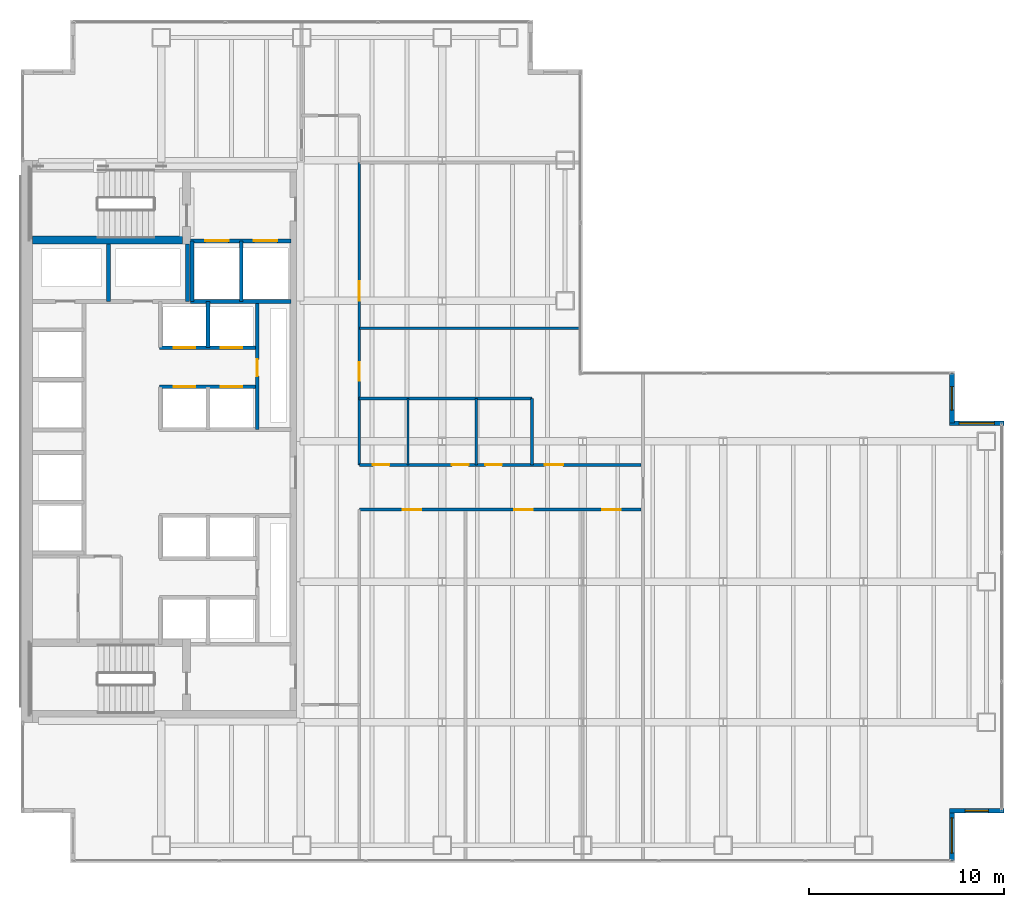
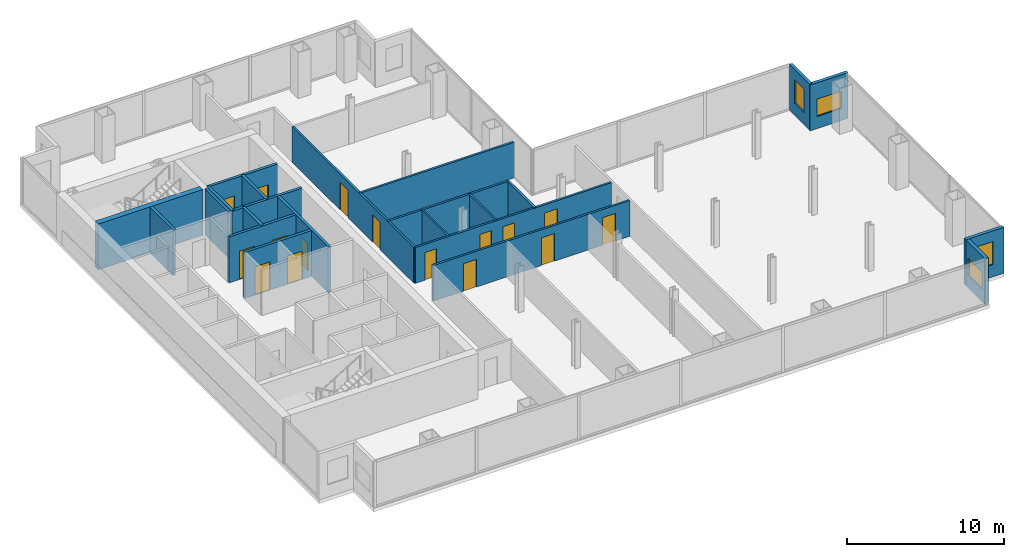
# One storey, part 21 of 23: 23 walls, 16 doors, 4 windows, 20 openings.
"""IFC4 building model written with IfcOpenShell, lengths in metres."""

from ifc_helpers import new_model, si_unit, direction, frame, frame_2d, origin, place, context, subcontext, project, spatial, rectangle, extrude, material, layer, layer_set, type_object, element, fill, save


model = new_model("IFC4")

# Units and contexts
model_context = context("Model", 3, precision=1e-05, world=origin(), true_north=direction((0.0, 1.0)))
body_context = subcontext(model_context, "Body", "Model", "MODEL_VIEW")
ifc_project = project(units=[si_unit("LENGTHUNIT", "METRE"), si_unit("AREAUNIT", "SQUARE_METRE"), si_unit("VOLUMEUNIT", "CUBIC_METRE"), si_unit("PLANEANGLEUNIT", "RADIAN"), si_unit("MASSUNIT", "GRAM", prefix="KILO")], contexts=[model_context])

# Site, building, storey
site_placement = place(None, origin())
site = spatial("IfcSite", under=ifc_project, at=site_placement, CompositionType="ELEMENT")
building_placement = place(site_placement, origin())
building = spatial("IfcBuilding", under=site, at=building_placement, Name="Cobrela Telecom Tower", CompositionType="ELEMENT")
storey_placement = place(building_placement, frame((0.0, 0.0, 81.199951171875)))
storey = spatial("IfcBuildingStorey", under=building, at=storey_placement, Name="L20", CompositionType="ELEMENT", Elevation=81.199951171875)

# Wall, opening, window
ifc_material_1 = material(Name="Concrete C40/50", Category="concrete")
ifc_layer_1 = layer(ifc_material_1, 0.239990234375)
ifc_layer_set_1 = layer_set([ifc_layer_1], Name="Concrete C40/50")
wall_type_1 = type_object("IfcWallType", Name="WALL-EXT-300", PredefinedType="STANDARD", material=ifc_layer_set_1)
wall_1_placement = place(storey_placement, frame((47.72998046875, 25.080078125, 0.0), z_axis=(0.0, 0.0, 1.0), x_axis=(0.0, -1.0, 0.0)))
wall_1 = element("IfcWall", 1, at=wall_1_placement, inside=storey, type_object=wall_type_1, Name="L20 Insulated Facade Wall 12", PredefinedType="STANDARD", context=body_context, shape_type="SweptSolid", body=[
    extrude(rectangle(XDim=2.550048828125, YDim=0.239990234375, at=frame_2d((1.27490234375, 0.0))), origin(), (0.0, 0.0, 1.0), 3.570068359375),
])
opening_1_placement = place(wall_1_placement, frame((0.675048828125, 0.0, 0.949951171875)))
opening_1 = element("IfcOpeningElement", 2, at=opening_1_placement, cuts=wall_1, Name="Opening WN-19", PredefinedType="OPENING", context=body_context, shape_type="SweptSolid", body=[
    extrude(rectangle(XDim=1.199951171875, YDim=1.800048828125, at=frame_2d((0.60009765625, 0.89990234375))), frame((0.0, 0.1318359375, 0.0), z_axis=(0.0, -1.0, 0.0), x_axis=(1.0, 0.0, 0.0)), (0.0, 0.0, 1.0), 0.263916015625),
])
ifc_material_2 = material(Name="Solar-Control Bronze Low-E Glass", Category="glass")
window_type_1 = type_object("IfcWindowType", Name="WIN-MOD-1200", PartitioningType="SINGLE_PANEL", PredefinedType="WINDOW", material=ifc_material_2)
window_1_placement = place(opening_1_placement, origin())
window_1 = element("IfcWindow", 3, at=window_1_placement, inside=storey, type_object=window_type_1, Name="L20 Corner Notch Facade Window 096", OverallHeight=1.800048828125, OverallWidth=1.199951171875, PartitioningType="SINGLE_PANEL", PredefinedType="WINDOW", context=body_context, shape_type="SweptSolid", body=[
    extrude(rectangle(XDim=1.199951171875, YDim=1.800048828125, at=frame_2d((0.60009765625, 0.89990234375))), frame((0.0, 0.030029296875, 0.0), z_axis=(0.0, -1.0, 0.0), x_axis=(1.0, 0.0, 0.0)), (0.0, 0.0, 1.0), 0.06005859375),
])
fill(opening_1, window_1)

wall_2_placement = place(storey_placement, frame((47.610107421875, 22.530029296875, 0.0), z_axis=(0.0, 0.0, 1.0), x_axis=(1.0, 0.0, 0.0)))
wall_2 = element("IfcWall", 4, at=wall_2_placement, inside=storey, type_object=wall_type_1, Name="L20 Insulated Facade Wall 13", PredefinedType="STANDARD", context=body_context, shape_type="SweptSolid", body=[
    extrude(rectangle(XDim=2.789794921875, YDim=0.239990234375, at=frame_2d((1.39501953125, 0.0))), origin(), (0.0, 0.0, 1.0), 3.570068359375),
])
opening_2_placement = place(wall_2_placement, frame((0.4951171875, 0.0, 0.949951171875)))
opening_2 = element("IfcOpeningElement", 5, at=opening_2_placement, cuts=wall_2, Name="Opening WN-27", PredefinedType="OPENING", context=body_context, shape_type="SweptSolid", body=[
    extrude(rectangle(XDim=1.800048828125, YDim=1.35009765625, at=frame_2d((0.89990234375, 0.675048828125))), frame((0.0, 0.1318359375, 0.0), z_axis=(0.0, -1.0, 0.0), x_axis=(1.0, 0.0, 0.0)), (0.0, 0.0, 1.0), 0.263916015625),
])
window_type_2 = type_object("IfcWindowType", Name="WIN-CLER-1800", PartitioningType="SINGLE_PANEL", PredefinedType="WINDOW", material=ifc_material_2)
window_2_placement = place(opening_2_placement, origin())
window_2 = element("IfcWindow", 6, at=window_2_placement, inside=storey, type_object=window_type_2, Name="L20 Corner Notch Facade Window 097", OverallHeight=1.35009765625, OverallWidth=1.800048828125, PartitioningType="SINGLE_PANEL", PredefinedType="WINDOW", context=body_context, shape_type="SweptSolid", body=[
    extrude(rectangle(XDim=1.800048828125, YDim=1.35009765625, at=frame_2d((0.89990234375, 0.675048828125))), frame((0.0, 0.030029296875, 0.0), z_axis=(0.0, -1.0, 0.0), x_axis=(1.0, 0.0, 0.0)), (0.0, 0.0, 1.0), 0.06005859375),
])
fill(opening_2, window_2)

wall_3_placement = place(storey_placement, frame((50.39990234375, 2.669921875, 0.0), z_axis=(0.0, 0.0, 1.0), x_axis=(-1.0, 0.0, 0.0)))
wall_3 = element("IfcWall", 7, at=wall_3_placement, inside=storey, type_object=wall_type_1, Name="L20 Insulated Facade Wall 15", PredefinedType="STANDARD", context=body_context, shape_type="SweptSolid", body=[
    extrude(rectangle(XDim=2.789794921875, YDim=0.239990234375, at=frame_2d((1.39501953125, 0.0))), origin(), (0.0, 0.0, 1.0), 3.570068359375),
])
opening_3_placement = place(wall_3_placement, frame((0.794921875, 0.0, 0.949951171875)))
opening_3 = element("IfcOpeningElement", 8, at=opening_3_placement, cuts=wall_3, Name="Opening WN-19", PredefinedType="OPENING", context=body_context, shape_type="SweptSolid", body=[
    extrude(rectangle(XDim=1.199951171875, YDim=1.800048828125, at=frame_2d((0.60009765625, 0.89990234375))), frame((0.0, 0.1318359375, 0.0), z_axis=(0.0, -1.0, 0.0), x_axis=(1.0, 0.0, 0.0)), (0.0, 0.0, 1.0), 0.263916015625),
])
window_3_placement = place(opening_3_placement, origin())
window_3 = element("IfcWindow", 9, at=window_3_placement, inside=storey, type_object=window_type_1, Name="L20 Corner Notch Facade Window 098", OverallHeight=1.800048828125, OverallWidth=1.199951171875, PartitioningType="SINGLE_PANEL", PredefinedType="WINDOW", context=body_context, shape_type="SweptSolid", body=[
    extrude(rectangle(XDim=1.199951171875, YDim=1.800048828125, at=frame_2d((0.60009765625, 0.89990234375))), frame((0.0, 0.030029296875, 0.0), z_axis=(0.0, -1.0, 0.0), x_axis=(1.0, 0.0, 0.0)), (0.0, 0.0, 1.0), 0.06005859375),
])
fill(opening_3, window_3)

wall_4_placement = place(storey_placement, frame((47.72998046875, 2.669921875, 0.0), z_axis=(0.0, 0.0, 1.0), x_axis=(0.0, -1.0, 0.0)))
wall_4 = element("IfcWall", 10, at=wall_4_placement, inside=storey, type_object=wall_type_1, Name="L20 Insulated Facade Wall 16", PredefinedType="STANDARD", context=body_context, shape_type="SweptSolid", body=[
    extrude(rectangle(XDim=2.5498046875, YDim=0.239990234375, at=frame_2d((1.27490234375, 0.0))), origin(), (0.0, 0.0, 1.0), 3.570068359375),
])
opening_4_placement = place(wall_4_placement, frame((0.375, 0.0, 0.949951171875)))
opening_4 = element("IfcOpeningElement", 11, at=opening_4_placement, cuts=wall_4, Name="Opening WN-27", PredefinedType="OPENING", context=body_context, shape_type="SweptSolid", body=[
    extrude(rectangle(XDim=1.800048828125, YDim=1.35009765625, at=frame_2d((0.89990234375, 0.675048828125))), frame((0.0, 0.1318359375, 0.0), z_axis=(0.0, -1.0, 0.0), x_axis=(1.0, 0.0, 0.0)), (0.0, 0.0, 1.0), 0.263916015625),
])
window_4_placement = place(opening_4_placement, origin())
window_4 = element("IfcWindow", 12, at=window_4_placement, inside=storey, type_object=window_type_2, Name="L20 Corner Notch Facade Window 099", OverallHeight=1.35009765625, OverallWidth=1.800048828125, PartitioningType="SINGLE_PANEL", PredefinedType="WINDOW", context=body_context, shape_type="SweptSolid", body=[
    extrude(rectangle(XDim=1.800048828125, YDim=1.35009765625, at=frame_2d((0.89990234375, 0.675048828125))), frame((0.0, 0.030029296875, 0.0), z_axis=(0.0, -1.0, 0.0), x_axis=(1.0, 0.0, 0.0)), (0.0, 0.0, 1.0), 0.06005859375),
])
fill(opening_4, window_4)

# Walls
ifc_material_3 = material(Name="Fire-Rated Gypsum Plasterboard")
ifc_layer_2 = layer(ifc_material_3, 0.125)
ifc_layer_set_2 = layer_set([ifc_layer_2], Name="Fire-Rated Gypsum Plasterboard")
wall_type_2 = type_object("IfcWallType", Name="WALL-PART-125", PredefinedType="PARTITIONING", material=ifc_layer_set_2)
for number, where, z_axis, x_axis, name in (
    (13, (19.85009765625, 20.39990234375, 0.0), (0.0, 0.0, 1.0), (0.0, 1.0, 0.0), "L20 Interior Partition W-WCV-1"),
    (14, (23.35009765625, 20.39990234375, 0.0), (0.0, 0.0, 1.0), (0.0, 1.0, 0.0), "L20 Interior Partition W-WCV-2"),
):
    element("IfcWall", number, at=place(storey_placement, frame(where, z_axis=z_axis, x_axis=x_axis)), inside=storey, type_object=wall_type_2, Name=name, PredefinedType="PARTITIONING", context=body_context, shape_type="SweptSolid", body=[
        extrude(rectangle(XDim=3.400146484375, YDim=0.125, at=frame_2d((1.7001953125, 0.0))), origin(), (0.0, 0.0, 1.0), 2.782958984375),
    ])

# Wall, openings, doors
ifc_layer_3 = layer(ifc_material_3, 0.14990234375)
ifc_layer_set_3 = layer_set([ifc_layer_3], Name="Fire-Rated Gypsum Plasterboard")
wall_type_3 = type_object("IfcWallType", Name="WALL-PART-150", PredefinedType="PARTITIONING", material=ifc_layer_set_3)
wall_5_placement = place(storey_placement, frame((17.35009765625, 20.39990234375, 0.0), z_axis=(0.0, 0.0, 1.0), x_axis=(0.0, 1.0, 0.0)))
wall_5 = element("IfcWall", 15, at=wall_5_placement, inside=storey, type_object=wall_type_3, Name="L20 Interior Partition W-C-E2", PredefinedType="PARTITIONING", context=body_context, shape_type="SweptSolid", body=[
    extrude(rectangle(XDim=15.5, YDim=0.14990234375, at=frame_2d((7.75, 0.0))), origin(), (0.0, 0.0, 1.0), 2.782958984375),
])
opening_5_placement = place(wall_5_placement, frame((4.300048828125, 0.0, 0.0)))
opening_5 = element("IfcOpeningElement", 16, at=opening_5_placement, cuts=wall_5, Name="Opening DR-67", PredefinedType="OPENING", context=body_context, shape_type="SweptSolid", body=[
    extrude(rectangle(XDim=0.949951171875, YDim=2.14990234375, at=frame_2d((0.47509765625, 1.074951171875))), frame((0.0, 0.0869140625, 0.0), z_axis=(0.0, -1.0, 0.0), x_axis=(1.0, 0.0, 0.0)), (0.0, 0.0, 1.0), 0.173828125),
])
opening_6_placement = place(wall_5_placement, frame((8.39990234375, 0.0, 0.0)))
opening_6 = element("IfcOpeningElement", 17, at=opening_6_placement, cuts=wall_5, Name="Opening DR-31", PredefinedType="OPENING", context=body_context, shape_type="SweptSolid", body=[
    extrude(rectangle(XDim=1.0, YDim=2.14990234375, at=frame_2d((0.5, 1.074951171875))), frame((0.0, 0.0869140625, 0.0), z_axis=(0.0, -1.0, 0.0), x_axis=(1.0, 0.0, 0.0)), (0.0, 0.0, 1.0), 0.173828125),
])
ifc_material_4 = material(Name="Solid Engineered Oak Timber", Category="wood")
door_type_1 = type_object("IfcDoorType", Name="DOOR-INT-1000", OperationType="SINGLE_SWING_LEFT", PredefinedType="DOOR", material=ifc_material_4)
door_1_placement = place(opening_6_placement, origin())
door_1 = element("IfcDoor", 18, at=door_1_placement, inside=storey, type_object=door_type_1, Name="L20 Door DR-31", OperationType="SINGLE_SWING_LEFT", OverallHeight=2.14990234375, OverallWidth=1.0, PredefinedType="DOOR", context=body_context, shape_type="SweptSolid", body=[
    extrude(rectangle(XDim=1.0, YDim=2.14990234375, at=frame_2d((0.5, 1.074951171875))), frame((0.0, 0.02490234375, 0.0), z_axis=(0.0, -1.0, 0.0), x_axis=(1.0, 0.0, 0.0)), (0.0, 0.0, 1.0), 0.050048828125),
])
fill(opening_6, door_1)
door_type_2 = type_object("IfcDoorType", Name="DOOR-INT-950", OperationType="SINGLE_SWING_LEFT", PredefinedType="DOOR", material=ifc_material_4)
door_2_placement = place(opening_5_placement, origin())
door_2 = element("IfcDoor", 19, at=door_2_placement, inside=storey, type_object=door_type_2, Name="L20 Door DR-67", OperationType="SINGLE_SWING_RIGHT", OverallHeight=2.14990234375, OverallWidth=0.949951171875, PredefinedType="DOOR", context=body_context, shape_type="SweptSolid", body=[
    extrude(rectangle(XDim=0.949951171875, YDim=2.14990234375, at=frame_2d((0.47509765625, 1.074951171875))), frame((0.0, 0.02490234375, 0.0), z_axis=(0.0, -1.0, 0.0), x_axis=(1.0, 0.0, 0.0)), (0.0, 0.0, 1.0), 0.050048828125),
])
fill(opening_5, door_2)

wall_6_placement = place(storey_placement, frame((17.35009765625, 18.10009765625, 0.0), z_axis=(0.0, 0.0, 1.0), x_axis=(1.0, 0.0, 0.0)))
wall_6 = element("IfcWall", 20, at=wall_6_placement, inside=storey, type_object=wall_type_3, Name="L20 Interior Partition W-C-HS", PredefinedType="PARTITIONING", context=body_context, shape_type="SweptSolid", body=[
    extrude(rectangle(XDim=14.449951171875, YDim=0.14990234375, at=frame_2d((7.22509765625, 0.0))), origin(), (0.0, 0.0, 1.0), 2.782958984375),
])
opening_7_placement = place(wall_6_placement, frame((2.22998046875, 0.0, 0.0)))
opening_7 = element("IfcOpeningElement", 21, at=opening_7_placement, cuts=wall_6, Name="Opening DR-67", PredefinedType="OPENING", context=body_context, shape_type="SweptSolid", body=[
    extrude(rectangle(XDim=0.949951171875, YDim=2.14990234375, at=frame_2d((0.47509765625, 1.074951171875))), frame((0.0, 0.0869140625, 0.0), z_axis=(0.0, -1.0, 0.0), x_axis=(1.0, 0.0, 0.0)), (0.0, 0.0, 1.0), 0.173828125),
])
opening_8_placement = place(wall_6_placement, frame((7.949951171875, 0.0, 0.0)))
opening_8 = element("IfcOpeningElement", 22, at=opening_8_placement, cuts=wall_6, Name="Opening DR-67", PredefinedType="OPENING", context=body_context, shape_type="SweptSolid", body=[
    extrude(rectangle(XDim=0.949951171875, YDim=2.14990234375, at=frame_2d((0.47509765625, 1.074951171875))), frame((0.0, 0.0869140625, 0.0), z_axis=(0.0, -1.0, 0.0), x_axis=(1.0, 0.0, 0.0)), (0.0, 0.0, 1.0), 0.173828125),
])
opening_9_placement = place(wall_6_placement, frame((12.449951171875, 0.0, 0.0)))
opening_9 = element("IfcOpeningElement", 23, at=opening_9_placement, cuts=wall_6, Name="Opening DR-67", PredefinedType="OPENING", context=body_context, shape_type="SweptSolid", body=[
    extrude(rectangle(XDim=0.949951171875, YDim=2.14990234375, at=frame_2d((0.47509765625, 1.074951171875))), frame((0.0, 0.0869140625, 0.0), z_axis=(0.0, -1.0, 0.0), x_axis=(1.0, 0.0, 0.0)), (0.0, 0.0, 1.0), 0.173828125),
])
door_3_placement = place(opening_7_placement, origin())
door_3 = element("IfcDoor", 24, at=door_3_placement, inside=storey, type_object=door_type_2, Name="L20 Door DR-67", OperationType="SINGLE_SWING_LEFT", OverallHeight=2.14990234375, OverallWidth=0.949951171875, PredefinedType="DOOR", context=body_context, shape_type="SweptSolid", body=[
    extrude(rectangle(XDim=0.949951171875, YDim=2.14990234375, at=frame_2d((0.47509765625, 1.074951171875))), frame((0.0, 0.02490234375, 0.0), z_axis=(0.0, -1.0, 0.0), x_axis=(1.0, 0.0, 0.0)), (0.0, 0.0, 1.0), 0.050048828125),
])
fill(opening_7, door_3)
door_4_placement = place(opening_8_placement, origin())
door_4 = element("IfcDoor", 25, at=door_4_placement, inside=storey, type_object=door_type_2, Name="L20 Door DR-67", OperationType="SINGLE_SWING_RIGHT", OverallHeight=2.14990234375, OverallWidth=0.949951171875, PredefinedType="DOOR", context=body_context, shape_type="SweptSolid", body=[
    extrude(rectangle(XDim=0.949951171875, YDim=2.14990234375, at=frame_2d((0.47509765625, 1.074951171875))), frame((0.0, 0.02490234375, 0.0), z_axis=(0.0, -1.0, 0.0), x_axis=(1.0, 0.0, 0.0)), (0.0, 0.0, 1.0), 0.050048828125),
])
fill(opening_8, door_4)
door_5_placement = place(opening_9_placement, origin())
door_5 = element("IfcDoor", 26, at=door_5_placement, inside=storey, type_object=door_type_2, Name="L20 Door DR-67", OperationType="SINGLE_SWING_LEFT", OverallHeight=2.14990234375, OverallWidth=0.949951171875, PredefinedType="DOOR", context=body_context, shape_type="SweptSolid", body=[
    extrude(rectangle(XDim=0.949951171875, YDim=2.14990234375, at=frame_2d((0.47509765625, 1.074951171875))), frame((0.0, 0.02490234375, 0.0), z_axis=(0.0, -1.0, 0.0), x_axis=(1.0, 0.0, 0.0)), (0.0, 0.0, 1.0), 0.050048828125),
])
fill(opening_9, door_5)

wall_7_placement = place(storey_placement, frame((17.35009765625, 20.39990234375, 0.0), z_axis=(0.0, 0.0, 1.0), x_axis=(1.0, 0.0, 0.0)))
wall_7 = element("IfcWall", 27, at=wall_7_placement, inside=storey, type_object=wall_type_3, Name="L20 Interior Partition W-C-HN", PredefinedType="PARTITIONING", context=body_context, shape_type="SweptSolid", body=[
    extrude(rectangle(XDim=14.449951171875, YDim=0.14990234375, at=frame_2d((7.22509765625, 0.0))), origin(), (0.0, 0.0, 1.0), 2.782958984375),
])
opening_10_placement = place(wall_7_placement, frame((0.699951171875, 0.0, 0.0)))
opening_10 = element("IfcOpeningElement", 28, at=opening_10_placement, cuts=wall_7, Name="Opening DR-11", PredefinedType="OPENING", context=body_context, shape_type="SweptSolid", body=[
    extrude(rectangle(XDim=0.85009765625, YDim=2.14990234375, at=frame_2d((0.425048828125, 1.074951171875))), frame((0.0, 0.0869140625, 0.0), z_axis=(0.0, -1.0, 0.0), x_axis=(1.0, 0.0, 0.0)), (0.0, 0.0, 1.0), 0.173828125),
])
opening_11_placement = place(wall_7_placement, frame((4.75, 0.0, 0.0)))
opening_11 = element("IfcOpeningElement", 29, at=opening_11_placement, cuts=wall_7, Name="Opening DR-11", PredefinedType="OPENING", context=body_context, shape_type="SweptSolid", body=[
    extrude(rectangle(XDim=0.85009765625, YDim=2.14990234375, at=frame_2d((0.425048828125, 1.074951171875))), frame((0.0, 0.0869140625, 0.0), z_axis=(0.0, -1.0, 0.0), x_axis=(1.0, 0.0, 0.0)), (0.0, 0.0, 1.0), 0.173828125),
])
opening_12_placement = place(wall_7_placement, frame((6.4599609375, 0.0, 0.0)))
opening_12 = element("IfcOpeningElement", 30, at=opening_12_placement, cuts=wall_7, Name="Opening DR-11", PredefinedType="OPENING", context=body_context, shape_type="SweptSolid", body=[
    extrude(rectangle(XDim=0.85009765625, YDim=2.14990234375, at=frame_2d((0.425048828125, 1.074951171875))), frame((0.0, 0.0869140625, 0.0), z_axis=(0.0, -1.0, 0.0), x_axis=(1.0, 0.0, 0.0)), (0.0, 0.0, 1.0), 0.173828125),
])
opening_13_placement = place(wall_7_placement, frame((9.5, 0.0, 0.0)))
opening_13 = element("IfcOpeningElement", 31, at=opening_13_placement, cuts=wall_7, Name="Opening DR-67", PredefinedType="OPENING", context=body_context, shape_type="SweptSolid", body=[
    extrude(rectangle(XDim=0.949951171875, YDim=2.14990234375, at=frame_2d((0.47509765625, 1.074951171875))), frame((0.0, 0.0869140625, 0.0), z_axis=(0.0, -1.0, 0.0), x_axis=(1.0, 0.0, 0.0)), (0.0, 0.0, 1.0), 0.173828125),
])
door_type_3 = type_object("IfcDoorType", Name="DOOR-INT-850", OperationType="SINGLE_SWING_LEFT", PredefinedType="DOOR", material=ifc_material_4)
door_6_placement = place(opening_10_placement, origin())
door_6 = element("IfcDoor", 32, at=door_6_placement, inside=storey, type_object=door_type_3, Name="L20 Door DR-11", OperationType="SINGLE_SWING_LEFT", OverallHeight=2.14990234375, OverallWidth=0.85009765625, PredefinedType="DOOR", context=body_context, shape_type="SweptSolid", body=[
    extrude(rectangle(XDim=0.85009765625, YDim=2.14990234375, at=frame_2d((0.425048828125, 1.074951171875))), frame((0.0, 0.02490234375, 0.0), z_axis=(0.0, -1.0, 0.0), x_axis=(1.0, 0.0, 0.0)), (0.0, 0.0, 1.0), 0.050048828125),
])
fill(opening_10, door_6)
door_7_placement = place(opening_11_placement, origin())
door_7 = element("IfcDoor", 33, at=door_7_placement, inside=storey, type_object=door_type_3, Name="L20 Door DR-11", OperationType="SINGLE_SWING_RIGHT", OverallHeight=2.14990234375, OverallWidth=0.85009765625, PredefinedType="DOOR", context=body_context, shape_type="SweptSolid", body=[
    extrude(rectangle(XDim=0.85009765625, YDim=2.14990234375, at=frame_2d((0.425048828125, 1.074951171875))), frame((0.0, 0.02490234375, 0.0), z_axis=(0.0, -1.0, 0.0), x_axis=(1.0, 0.0, 0.0)), (0.0, 0.0, 1.0), 0.050048828125),
])
fill(opening_11, door_7)
door_8_placement = place(opening_12_placement, origin())
door_8 = element("IfcDoor", 34, at=door_8_placement, inside=storey, type_object=door_type_3, Name="L20 Door DR-11", OperationType="SINGLE_SWING_LEFT", OverallHeight=2.14990234375, OverallWidth=0.85009765625, PredefinedType="DOOR", context=body_context, shape_type="SweptSolid", body=[
    extrude(rectangle(XDim=0.85009765625, YDim=2.14990234375, at=frame_2d((0.425048828125, 1.074951171875))), frame((0.0, 0.02490234375, 0.0), z_axis=(0.0, -1.0, 0.0), x_axis=(1.0, 0.0, 0.0)), (0.0, 0.0, 1.0), 0.050048828125),
])
fill(opening_12, door_8)
door_9_placement = place(opening_13_placement, origin())
door_9 = element("IfcDoor", 35, at=door_9_placement, inside=storey, type_object=door_type_2, Name="L20 Door DR-67", OperationType="SINGLE_SWING_RIGHT", OverallHeight=2.14990234375, OverallWidth=0.949951171875, PredefinedType="DOOR", context=body_context, shape_type="SweptSolid", body=[
    extrude(rectangle(XDim=0.949951171875, YDim=2.14990234375, at=frame_2d((0.47509765625, 1.074951171875))), frame((0.0, 0.02490234375, 0.0), z_axis=(0.0, -1.0, 0.0), x_axis=(1.0, 0.0, 0.0)), (0.0, 0.0, 1.0), 0.050048828125),
])
fill(opening_13, door_9)

# Walls
wall_8_placement = place(storey_placement, frame((17.35009765625, 23.800048828125, 0.0), z_axis=(0.0, 0.0, 1.0), x_axis=(1.0, 0.0, 0.0)))
element("IfcWall", 36, at=wall_8_placement, inside=storey, type_object=wall_type_3, Name="L20 Interior Partition W-WC-N", PredefinedType="PARTITIONING", context=body_context, shape_type="SweptSolid", body=[
    extrude(rectangle(XDim=8.849853515625, YDim=0.14990234375, at=frame_2d((4.4248046875, 0.0))), origin(), (0.0, 0.0, 1.0), 2.782958984375),
])
wall_9_placement = place(storey_placement, frame((26.199951171875, 20.39990234375, 0.0), z_axis=(0.0, 0.0, 1.0), x_axis=(0.0, 1.0, 0.0)))
element("IfcWall", 37, at=wall_9_placement, inside=storey, type_object=wall_type_3, Name="L20 Interior Partition W-WC-R", PredefinedType="PARTITIONING", context=body_context, shape_type="SweptSolid", body=[
    extrude(rectangle(XDim=3.400146484375, YDim=0.14990234375, at=frame_2d((1.7001953125, 0.0))), origin(), (0.0, 0.0, 1.0), 2.782958984375),
])
wall_10_placement = place(storey_placement, frame((17.35009765625, 27.39990234375, 0.0), z_axis=(0.0, 0.0, 1.0), x_axis=(1.0, 0.0, 0.0)))
element("IfcWall", 38, at=wall_10_placement, inside=storey, type_object=wall_type_3, Name="L20 Interior Partition W-NPAN-T", PredefinedType="PARTITIONING", context=body_context, shape_type="SweptSolid", body=[
    extrude(rectangle(XDim=11.329833984375, YDim=0.14990234375, at=frame_2d((5.6650390625, 0.0))), origin(), (0.0, 0.0, 1.0), 2.782958984375),
])

# Wall, openings, doors
ifc_layer_4 = layer(ifc_material_3, 0.199951171875)
ifc_layer_set_4 = layer_set([ifc_layer_4], Name="Fire-Rated Gypsum Plasterboard")
wall_type_4 = type_object("IfcWallType", Name="WALL-SHAFT-200", PredefinedType="PARTITIONING", material=ifc_layer_set_4)
wall_11_placement = place(storey_placement, frame((8.699951171875, 31.8798828125, 0.0), z_axis=(0.0, 0.0, 1.0), x_axis=(1.0, 0.0, 0.0)))
wall_11 = element("IfcWall", 39, at=wall_11_placement, inside=storey, type_object=wall_type_4, Name="L20 Shaft Enclosure CW-FFL-S", PredefinedType="PARTITIONING", context=body_context, shape_type="SweptSolid", body=[
    extrude(rectangle(XDim=5.150146484375, YDim=0.199951171875, at=frame_2d((2.5751953125, 0.0))), origin(), (0.0, 0.0, 1.0), 3.570068359375),
])
opening_14_placement = place(wall_11_placement, frame((0.75, 0.0, 0.0)))
opening_14 = element("IfcOpeningElement", 40, at=opening_14_placement, cuts=wall_11, Name="Opening LD-2", PredefinedType="OPENING", context=body_context, shape_type="SweptSolid", body=[
    extrude(rectangle(XDim=1.199951171875, YDim=2.199951171875, at=frame_2d((0.60009765625, 1.10009765625))), frame((0.0, 0.11181640625, 0.0), z_axis=(0.0, -1.0, 0.0), x_axis=(1.0, 0.0, 0.0)), (0.0, 0.0, 1.0), 0.223876953125),
])
opening_15_placement = place(wall_11_placement, frame((3.25, 0.0, 0.0)))
opening_15 = element("IfcOpeningElement", 41, at=opening_15_placement, cuts=wall_11, Name="Opening LD-2", PredefinedType="OPENING", context=body_context, shape_type="SweptSolid", body=[
    extrude(rectangle(XDim=1.199951171875, YDim=2.199951171875, at=frame_2d((0.60009765625, 1.10009765625))), frame((0.0, 0.11181640625, 0.0), z_axis=(0.0, -1.0, 0.0), x_axis=(1.0, 0.0, 0.0)), (0.0, 0.0, 1.0), 0.223876953125),
])
ifc_material_5 = material(Name="Steel ASTM A36", Category="steel")
door_type_4 = type_object("IfcDoorType", Name="DOOR-LD-FFL", OperationType="SINGLE_SWING_LEFT", PredefinedType="DOOR", material=ifc_material_5)
door_10_placement = place(opening_14_placement, origin())
door_10 = element("IfcDoor", 42, at=door_10_placement, inside=storey, type_object=door_type_4, Name="L20 Lift Landing Door LD-2", OperationType="DOUBLE_DOOR_SLIDING", OverallHeight=2.199951171875, OverallWidth=1.199951171875, PredefinedType="DOOR", context=body_context, shape_type="SweptSolid", body=[
    extrude(rectangle(XDim=1.199951171875, YDim=2.199951171875, at=frame_2d((0.60009765625, 1.10009765625))), frame((0.0, 0.02490234375, 0.0), z_axis=(0.0, -1.0, 0.0), x_axis=(1.0, 0.0, 0.0)), (0.0, 0.0, 1.0), 0.050048828125),
])
fill(opening_14, door_10)
door_11_placement = place(opening_15_placement, origin())
door_11 = element("IfcDoor", 43, at=door_11_placement, inside=storey, type_object=door_type_4, Name="L20 Lift Landing Door LD-2", OperationType="DOUBLE_DOOR_SLIDING", OverallHeight=2.199951171875, OverallWidth=1.199951171875, PredefinedType="DOOR", context=body_context, shape_type="SweptSolid", body=[
    extrude(rectangle(XDim=1.199951171875, YDim=2.199951171875, at=frame_2d((0.60009765625, 1.10009765625))), frame((0.0, 0.02490234375, 0.0), z_axis=(0.0, -1.0, 0.0), x_axis=(1.0, 0.0, 0.0)), (0.0, 0.0, 1.0), 0.050048828125),
])
fill(opening_15, door_11)

# Walls
wall_12_placement = place(storey_placement, frame((8.699951171875, 28.780029296875, 0.0), z_axis=(0.0, 0.0, 1.0), x_axis=(1.0, 0.0, 0.0)))
element("IfcWall", 44, at=wall_12_placement, inside=storey, type_object=wall_type_4, Name="L20 Shaft Enclosure CW-FFL-S2", PredefinedType="PARTITIONING", context=body_context, shape_type="SweptSolid", body=[
    extrude(rectangle(XDim=5.150146484375, YDim=0.199951171875, at=frame_2d((2.5751953125, 0.0))), origin(), (0.0, 0.0, 1.0), 3.570068359375),
])
for number, where, z_axis, x_axis, name in (
    (45, (8.780029296875, 28.780029296875, 0.0), (0.0, 0.0, 1.0), (0.0, 1.0, 0.0), "L20 Shaft Enclosure CW-FFL-W"),
    (46, (11.300048828125, 28.780029296875, 0.0), (0.0, 0.0, 1.0), (0.0, 1.0, 0.0), "L20 Shaft Enclosure CW-FFL-M"),
):
    element("IfcWall", number, at=place(storey_placement, frame(where, z_axis=z_axis, x_axis=x_axis)), inside=storey, type_object=wall_type_4, Name=name, PredefinedType="PARTITIONING", context=body_context, shape_type="SweptSolid", body=[
        extrude(rectangle(XDim=3.099853515625, YDim=0.199951171875, at=frame_2d((1.5498046875, 0.0))), origin(), (0.0, 0.0, 1.0), 3.570068359375),
    ])
for number, where, z_axis, x_axis, name in (
    (47, (4.5, 28.780029296875, 0.0), (0.0, 0.0, 1.0), (0.0, 1.0, 0.0), "L20 Shaft Enclosure CW-RIS-M"),
    (48, (8.550048828125, 28.780029296875, 0.0), (0.0, 0.0, 1.0), (0.0, 1.0, 0.0), "L20 Shaft Enclosure CW-RIS-E"),
):
    element("IfcWall", number, at=place(storey_placement, frame(where, z_axis=z_axis, x_axis=x_axis)), inside=storey, type_object=wall_type_4, Name=name, PredefinedType="PARTITIONING", context=body_context, shape_type="SweptSolid", body=[
        extrude(rectangle(XDim=2.93994140625, YDim=0.199951171875, at=frame_2d((1.469970703125, 0.0))), origin(), (0.0, 0.0, 1.0), 3.570068359375),
    ])

# Wall, openings, doors
wall_13_placement = place(storey_placement, frame((7.10009765625, 24.39990234375, 0.0), z_axis=(0.0, 0.0, 1.0), x_axis=(1.0, 0.0, 0.0)))
wall_13 = element("IfcWall", 49, at=wall_13_placement, inside=storey, type_object=wall_type_4, Name="L20 Shaft Enclosure CW-PLL-S", PredefinedType="PARTITIONING", context=body_context, shape_type="SweptSolid", body=[
    extrude(rectangle(XDim=5.02001953125, YDim=0.199951171875, at=frame_2d((2.510009765625, 0.0))), origin(), (0.0, 0.0, 1.0), 3.570068359375),
])
opening_16_placement = place(wall_13_placement, frame((0.75, 0.0, 0.0)))
opening_16 = element("IfcOpeningElement", 50, at=opening_16_placement, cuts=wall_13, Name="Opening LD-1", PredefinedType="OPENING", context=body_context, shape_type="SweptSolid", body=[
    extrude(rectangle(XDim=1.10009765625, YDim=2.199951171875, at=frame_2d((0.550048828125, 1.10009765625))), frame((0.0, 0.11181640625, 0.0), z_axis=(0.0, -1.0, 0.0), x_axis=(1.0, 0.0, 0.0)), (0.0, 0.0, 1.0), 0.223876953125),
])
opening_17_placement = place(wall_13_placement, frame((3.14990234375, 0.0, 0.0)))
opening_17 = element("IfcOpeningElement", 51, at=opening_17_placement, cuts=wall_13, Name="Opening LD-1", PredefinedType="OPENING", context=body_context, shape_type="SweptSolid", body=[
    extrude(rectangle(XDim=1.10009765625, YDim=2.199951171875, at=frame_2d((0.550048828125, 1.10009765625))), frame((0.0, 0.11181640625, 0.0), z_axis=(0.0, -1.0, 0.0), x_axis=(1.0, 0.0, 0.0)), (0.0, 0.0, 1.0), 0.223876953125),
])
door_type_5 = type_object("IfcDoorType", Name="DOOR-LD-PL", OperationType="SINGLE_SWING_LEFT", PredefinedType="DOOR", material=ifc_material_5)
door_12_placement = place(opening_16_placement, origin())
door_12 = element("IfcDoor", 52, at=door_12_placement, inside=storey, type_object=door_type_5, Name="L20 Lift Landing Door LD-1", OperationType="DOUBLE_DOOR_SLIDING", OverallHeight=2.199951171875, OverallWidth=1.10009765625, PredefinedType="DOOR", context=body_context, shape_type="SweptSolid", body=[
    extrude(rectangle(XDim=1.10009765625, YDim=2.199951171875, at=frame_2d((0.550048828125, 1.10009765625))), frame((0.0, 0.02490234375, 0.0), z_axis=(0.0, -1.0, 0.0), x_axis=(1.0, 0.0, 0.0)), (0.0, 0.0, 1.0), 0.050048828125),
])
fill(opening_16, door_12)
door_13_placement = place(opening_17_placement, origin())
door_13 = element("IfcDoor", 53, at=door_13_placement, inside=storey, type_object=door_type_5, Name="L20 Lift Landing Door LD-1", OperationType="DOUBLE_DOOR_SLIDING", OverallHeight=2.199951171875, OverallWidth=1.10009765625, PredefinedType="DOOR", context=body_context, shape_type="SweptSolid", body=[
    extrude(rectangle(XDim=1.10009765625, YDim=2.199951171875, at=frame_2d((0.550048828125, 1.10009765625))), frame((0.0, 0.02490234375, 0.0), z_axis=(0.0, -1.0, 0.0), x_axis=(1.0, 0.0, 0.0)), (0.0, 0.0, 1.0), 0.050048828125),
])
fill(opening_17, door_13)

wall_14_placement = place(storey_placement, frame((7.10009765625, 26.39990234375, 0.0), z_axis=(0.0, 0.0, 1.0), x_axis=(1.0, 0.0, 0.0)))
wall_14 = element("IfcWall", 54, at=wall_14_placement, inside=storey, type_object=wall_type_4, Name="L20 Shaft Enclosure CW-PLL-N", PredefinedType="PARTITIONING", context=body_context, shape_type="SweptSolid", body=[
    extrude(rectangle(XDim=5.02001953125, YDim=0.199951171875, at=frame_2d((2.510009765625, 0.0))), origin(), (0.0, 0.0, 1.0), 3.570068359375),
])
opening_18_placement = place(wall_14_placement, frame((0.75, 0.0, 0.0)))
opening_18 = element("IfcOpeningElement", 55, at=opening_18_placement, cuts=wall_14, Name="Opening LD-1", PredefinedType="OPENING", context=body_context, shape_type="SweptSolid", body=[
    extrude(rectangle(XDim=1.10009765625, YDim=2.199951171875, at=frame_2d((0.550048828125, 1.10009765625))), frame((0.0, 0.11181640625, 0.0), z_axis=(0.0, -1.0, 0.0), x_axis=(1.0, 0.0, 0.0)), (0.0, 0.0, 1.0), 0.223876953125),
])
opening_19_placement = place(wall_14_placement, frame((3.14990234375, 0.0, 0.0)))
opening_19 = element("IfcOpeningElement", 56, at=opening_19_placement, cuts=wall_14, Name="Opening LD-1", PredefinedType="OPENING", context=body_context, shape_type="SweptSolid", body=[
    extrude(rectangle(XDim=1.10009765625, YDim=2.199951171875, at=frame_2d((0.550048828125, 1.10009765625))), frame((0.0, 0.11181640625, 0.0), z_axis=(0.0, -1.0, 0.0), x_axis=(1.0, 0.0, 0.0)), (0.0, 0.0, 1.0), 0.223876953125),
])
door_14_placement = place(opening_18_placement, origin())
door_14 = element("IfcDoor", 57, at=door_14_placement, inside=storey, type_object=door_type_5, Name="L20 Lift Landing Door LD-1", OperationType="DOUBLE_DOOR_SLIDING", OverallHeight=2.199951171875, OverallWidth=1.10009765625, PredefinedType="DOOR", context=body_context, shape_type="SweptSolid", body=[
    extrude(rectangle(XDim=1.10009765625, YDim=2.199951171875, at=frame_2d((0.550048828125, 1.10009765625))), frame((0.0, 0.02490234375, 0.0), z_axis=(0.0, -1.0, 0.0), x_axis=(1.0, 0.0, 0.0)), (0.0, 0.0, 1.0), 0.050048828125),
])
fill(opening_18, door_14)
door_15_placement = place(opening_19_placement, origin())
door_15 = element("IfcDoor", 58, at=door_15_placement, inside=storey, type_object=door_type_5, Name="L20 Lift Landing Door LD-1", OperationType="DOUBLE_DOOR_SLIDING", OverallHeight=2.199951171875, OverallWidth=1.10009765625, PredefinedType="DOOR", context=body_context, shape_type="SweptSolid", body=[
    extrude(rectangle(XDim=1.10009765625, YDim=2.199951171875, at=frame_2d((0.550048828125, 1.10009765625))), frame((0.0, 0.02490234375, 0.0), z_axis=(0.0, -1.0, 0.0), x_axis=(1.0, 0.0, 0.0)), (0.0, 0.0, 1.0), 0.050048828125),
])
fill(opening_19, door_15)

# Wall
wall_15_placement = place(storey_placement, frame((9.60009765625, 26.39990234375, 0.0), z_axis=(0.0, 0.0, 1.0), x_axis=(0.0, 1.0, 0.0)))
element("IfcWall", 59, at=wall_15_placement, inside=storey, type_object=wall_type_4, Name="L20 Shaft Enclosure CW-PLL-V2B", PredefinedType="PARTITIONING", context=body_context, shape_type="SweptSolid", body=[
    extrude(rectangle(XDim=2.380126953125, YDim=0.199951171875, at=frame_2d((1.18994140625, 0.0))), origin(), (0.0, 0.0, 1.0), 3.570068359375),
])

# Wall, opening, door
wall_16_placement = place(storey_placement, frame((12.1201171875, 22.199951171875, 0.0), z_axis=(0.0, 0.0, 1.0), x_axis=(0.0, 1.0, 0.0)))
wall_16 = element("IfcWall", 60, at=wall_16_placement, inside=storey, type_object=wall_type_4, Name="L20 Shaft Enclosure CW-PLL-V3", PredefinedType="PARTITIONING", context=body_context, shape_type="SweptSolid", body=[
    extrude(rectangle(XDim=6.580078125, YDim=0.199951171875, at=frame_2d((3.2900390625, 0.0))), origin(), (0.0, 0.0, 1.0), 3.570068359375),
])
opening_20_placement = place(wall_16_placement, frame((2.75, 0.0, 0.0)))
opening_20 = element("IfcOpeningElement", 61, at=opening_20_placement, cuts=wall_16, Name="Opening DR-11", PredefinedType="OPENING", context=body_context, shape_type="SweptSolid", body=[
    extrude(rectangle(XDim=0.85009765625, YDim=2.14990234375, at=frame_2d((0.425048828125, 1.074951171875))), frame((0.0, 0.11181640625, 0.0), z_axis=(0.0, -1.0, 0.0), x_axis=(1.0, 0.0, 0.0)), (0.0, 0.0, 1.0), 0.223876953125),
])
door_16_placement = place(opening_20_placement, origin())
door_16 = element("IfcDoor", 62, at=door_16_placement, inside=storey, type_object=door_type_3, Name="L20 Door DR-11", OperationType="SINGLE_SWING_LEFT", OverallHeight=2.14990234375, OverallWidth=0.85009765625, PredefinedType="DOOR", context=body_context, shape_type="SweptSolid", body=[
    extrude(rectangle(XDim=0.85009765625, YDim=2.14990234375, at=frame_2d((0.425048828125, 1.074951171875))), frame((0.0, 0.02490234375, 0.0), z_axis=(0.0, -1.0, 0.0), x_axis=(1.0, 0.0, 0.0)), (0.0, 0.0, 1.0), 0.050048828125),
])
fill(opening_20, door_16)

# Wall
ifc_layer_5 = layer(ifc_material_1, 0.39990234375)
ifc_layer_set_5 = layer_set([ifc_layer_5], Name="Concrete C40/50")
wall_type_5 = type_object("IfcWallType", Name="WALL-SHAFT-C40-400", PredefinedType="SHEAR", material=ifc_layer_set_5)
wall_17_placement = place(storey_placement, frame((0.60009765625, 31.919921875, 0.0), z_axis=(0.0, 0.0, 1.0), x_axis=(1.0, 0.0, 0.0)))
element("IfcWall", 63, at=wall_17_placement, inside=storey, type_object=wall_type_5, Name="L20 North Stair Shear Wall", PredefinedType="SHEAR", context=body_context, shape_type="SweptSolid", body=[
    extrude(rectangle(XDim=7.699951171875, YDim=0.39990234375, at=frame_2d((3.85009765625, 0.0))), origin(), (0.0, 0.0, 1.0), 3.570068359375),
])

save(model, "model.ifc")
